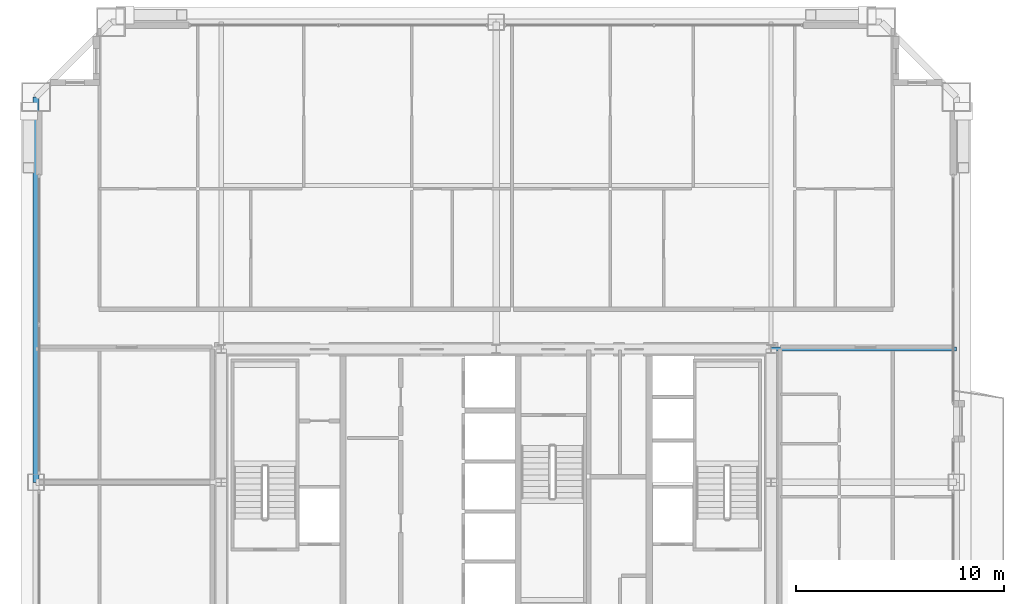
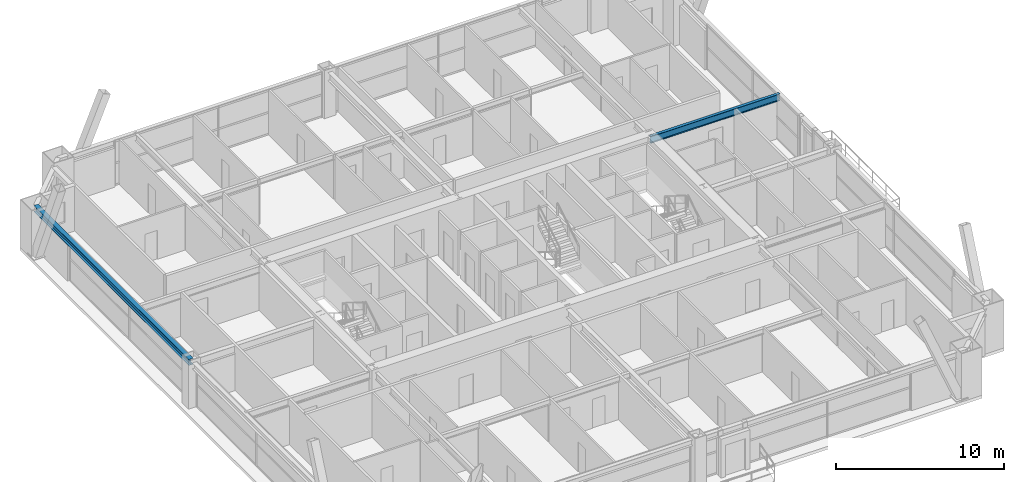
# One storey, part 28 of 45: 2 beams.
"""IFC4 building model written with IfcOpenShell, lengths in metres."""

from ifc_helpers import new_model, si_unit, direction, frame, origin, origin_2d, place, context, subcontext, project, spatial, i_section, extrude, source, transform, mapped, material, material_profile, profile_set, type_object, element, save


model = new_model("IFC4")

# Units and contexts
model_context = context("Model", 3, precision=1e-05, world=origin(), true_north=direction((0.0, 1.0)))
body_context = subcontext(model_context, "Body", "Model", "MODEL_VIEW")
ifc_project = project(units=[si_unit("LENGTHUNIT", "METRE"), si_unit("AREAUNIT", "SQUARE_METRE"), si_unit("VOLUMEUNIT", "CUBIC_METRE"), si_unit("PLANEANGLEUNIT", "RADIAN"), si_unit("MASSUNIT", "GRAM", prefix="KILO"), si_unit("THERMODYNAMICTEMPERATUREUNIT", "KELVIN"), si_unit("POWERUNIT", "WATT")], contexts=[model_context])

# Site, building, storey
site_placement = place(None, origin())
site = spatial("IfcSite", under=ifc_project, at=site_placement, CompositionType="ELEMENT")
building_placement = place(site_placement, origin())
building = spatial("IfcBuilding", under=site, at=building_placement, Name="Yuzanri Waterfront Tower", CompositionType="ELEMENT")
storey_placement = place(building_placement, frame((0.0, 0.0, 191.5)))
storey = spatial("IfcBuildingStorey", under=building, at=storey_placement, Name="L50", CompositionType="ELEMENT", Elevation=191.5)

# Beams
ifc_material_1 = material(Name="Steel Q355B", Category="steel")
ifc_material_profile_1 = material_profile(ifc_material_1, i_section(OverallWidth=0.300048828125, OverallDepth=0.43994140625, WebThickness=0.010986328125, FlangeThickness=0.01806640625, at=origin_2d()), Name="HM 440x300x11x18")
ifc_profile_set_1 = profile_set([ifc_material_profile_1], Name="Steel Q355B")
beam_type_1 = type_object("IfcBeamType", Name="Perimeter Spandrel Q355B HM 440x300", PredefinedType="SPANDREL", material=ifc_profile_set_1)
shared_shape_1 = source(origin(), body_context, "Body", "SweptSolid", [
    extrude(i_section(OverallWidth=0.300048828125, OverallDepth=0.43994140625, WebThickness=0.010986328125, FlangeThickness=0.01806640625, at=origin_2d()), origin(), (0.0, 0.0, 1.0), 18.5),
])
beam_1_placement = place(storey_placement, frame((14.89990234375, 44.300048828125, 3.06005859375), z_axis=(0.0, -1.0, 0.0), x_axis=(1.0, 0.0, 0.0)))
element("IfcBeam", 1, at=beam_1_placement, inside=storey, type_object=beam_type_1, Name="L50 Perimeter Spandrel W3-W2", PredefinedType="SPANDREL", context=body_context, shape_type="MappedRepresentation", body=[
    mapped(shared_shape_1, transform((0.0, 0.0, 0.0), scale=1.0)),
])
ifc_material_2 = material(Name="Steel Q355B", Category="steel")
ifc_material_profile_2 = material_profile(ifc_material_2, i_section(OverallWidth=0.199951171875, OverallDepth=0.5, WebThickness=0.010009765625, FlangeThickness=0.01611328125, at=origin_2d()), Name="HN 500x200x10x16")
ifc_profile_set_2 = profile_set([ifc_material_profile_2], Name="Steel Q355B")
beam_type_2 = type_object("IfcBeamType", Name="Secondary Floor Beam Q355B HN 500x200", PredefinedType="BEAM", material=ifc_profile_set_2)
shared_shape_2 = source(origin(), body_context, "Body", "SweptSolid", [
    extrude(i_section(OverallWidth=0.199951171875, OverallDepth=0.5, WebThickness=0.010009765625, FlangeThickness=0.01611328125, at=origin_2d()), origin(), (0.0, 0.0, 1.0), 8.900146484375),
])
beam_2_placement = place(storey_placement, frame((50.199951171875, 32.199951171875, 3.030029296875), z_axis=(1.0, 0.0, 0.0), x_axis=(0.0, 1.0, 0.0)))
element("IfcBeam", 2, at=beam_2_placement, inside=storey, type_object=beam_type_2, Name="L50 East-North Core Line Beam", PredefinedType="BEAM", context=body_context, shape_type="MappedRepresentation", body=[
    mapped(shared_shape_2, transform((0.0, 0.0, 0.0), scale=1.0)),
])

save(model, "model.ifc")
